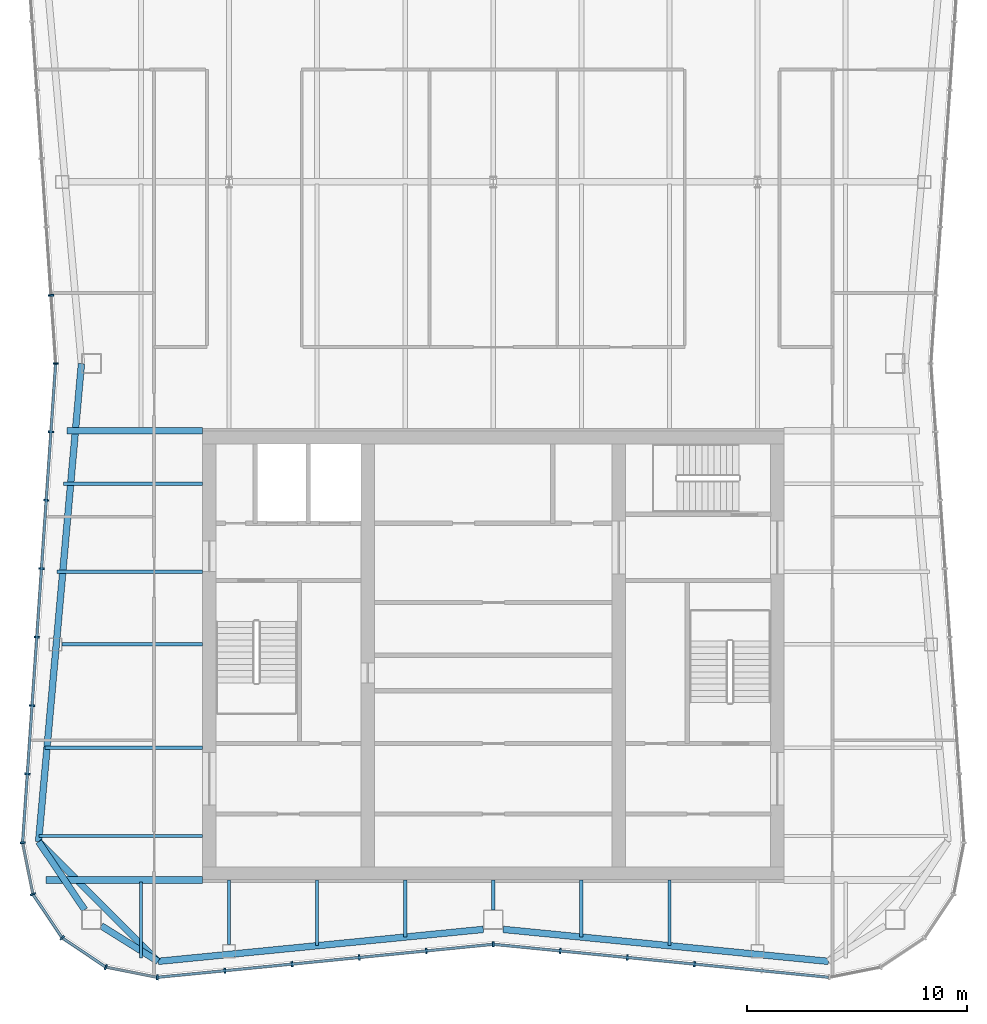
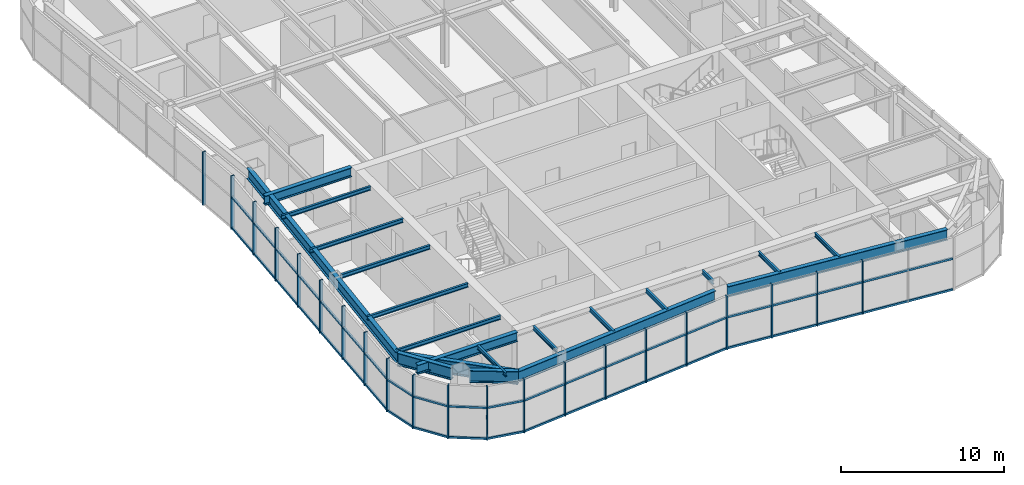
# One storey, part 3 of 13: 35 members, 20 beams, 3 elements without a shape of their own.
"""IFC4 building model written with IfcOpenShell, lengths in metres."""

import ifcopenshell
import ifcopenshell.guid

model = None  # the IFC model being written
_history = None  # IfcOwnerHistory: only IFC2X3 demands one
_inside = {}  # id of a spatial element -> (the spatial element, [elements in it])
_under = {}  # id of a project, library or spatial element -> (it, [spatial elements below it])
_declared = {}  # id of a project -> (the project, [libraries it declares])
_typed = {}  # id of a type object -> (the type object, [elements of that type])
_made_of = {}  # id of a material, layer set ... -> (it, [elements and type objects made of it])


def new_model(schema):
    """Start an empty IFC model of exactly this schema.

    Asked for "IFC4X3", IfcOpenShell would pick the latest addendum, in which some entities
    have other attributes; the version numbers below select the first issue.
    IFC2X3 requires an IfcOwnerHistory on every rooted entity: one is made here for all.
    """
    global model, _history
    if schema == "IFC4X3":
        model = ifcopenshell.file(schema_version=(4, 3, 0, 0))
    else:
        model = ifcopenshell.file(schema=schema)
    _inside.clear()
    _under.clear()
    _declared.clear()
    _typed.clear()
    _made_of.clear()
    _history = None
    if model.schema == "IFC2X3":
        org = make("IfcOrganization", Name="unknown")
        user = make(
            "IfcPersonAndOrganization",
            ThePerson=make("IfcPerson", FamilyName="unknown"),
            TheOrganization=org,
        )
        app = make(
            "IfcApplication",
            ApplicationDeveloper=org,
            Version="unknown",
            ApplicationFullName="unknown",
            ApplicationIdentifier="unknown",
        )
        _history = make(
            "IfcOwnerHistory",
            OwningUser=user,
            OwningApplication=app,
            ChangeAction="ADDED",
            CreationDate=0,
        )
    return model


def make(cls, **values):
    """One entity of the class cls with the attributes given. An attribute that is None is left unset."""
    return model.create_entity(
        cls, **{name: value for name, value in values.items() if value is not None}
    )


def rooted(cls, **values):
    """An entity with a GlobalId (a new one), such as an element, a storey or a relation."""
    return make(cls, GlobalId=ifcopenshell.guid.new(), OwnerHistory=_history, **values)


def si_unit(unit_type, name, prefix=None):
    """IfcSIUnit, for example si_unit("LENGTHUNIT", "METRE", prefix="MILLI")."""
    return make("IfcSIUnit", UnitType=unit_type, Prefix=prefix, Name=name)


def assignment(units):
    """IfcUnitAssignment: the units of a project."""
    return None if units is None else make("IfcUnitAssignment", Units=units)


def point(xyz):
    """IfcCartesianPoint."""
    return None if xyz is None else make("IfcCartesianPoint", Coordinates=xyz)


def direction(xyz):
    """IfcDirection."""
    return None if xyz is None else make("IfcDirection", DirectionRatios=xyz)


def frame(location, z_axis=None, x_axis=None):
    """IfcAxis2Placement3D, a coordinate frame: its origin and axes. An axis left out is left unset."""
    return make(
        "IfcAxis2Placement3D",
        Location=point(location),
        Axis=direction(z_axis),
        RefDirection=direction(x_axis),
    )


def frame_2d(location, x_axis=None):
    """IfcAxis2Placement2D, a coordinate frame in the plane: its origin and x axis."""
    return make(
        "IfcAxis2Placement2D", Location=point(location), RefDirection=direction(x_axis)
    )


def origin():
    """The frame at (0, 0, 0) with its axes left unset."""
    return frame((0.0, 0.0, 0.0))


def origin_2d():
    """The frame at (0, 0) in the plane with its x axis left unset."""
    return frame_2d((0.0, 0.0))


def place(relative_to, where):
    """IfcLocalPlacement: puts the frame where relative to a parent placement (None: the world)."""
    return make(
        "IfcLocalPlacement", PlacementRelTo=relative_to, RelativePlacement=where
    )


def context(
    kind, dimensions, precision=None, world=None, true_north=None, identifier=None
):
    """IfcGeometricRepresentationContext, for example the 3D "Model" context."""
    return make(
        "IfcGeometricRepresentationContext",
        ContextIdentifier=identifier,
        ContextType=kind,
        CoordinateSpaceDimension=dimensions,
        Precision=precision,
        WorldCoordinateSystem=world,
        TrueNorth=true_north,
    )


def subcontext(parent, identifier, kind, view, scale=None):
    """IfcGeometricRepresentationSubContext, for example "Body" below "Model"."""
    return make(
        "IfcGeometricRepresentationSubContext",
        ContextIdentifier=identifier,
        ContextType=kind,
        ParentContext=parent,
        TargetScale=scale,
        TargetView=view,
    )


def project(units=None, contexts=None):
    """IfcProject with its units and contexts."""
    return rooted(
        "IfcProject",
        Name="project",
        RepresentationContexts=contexts,
        UnitsInContext=assignment(units),
    )


def spatial(cls, under=None, at=None, **own):
    """A site, building, storey or space (cls), placed at a placement, below another one or the project."""
    s = rooted(cls, ObjectPlacement=at, **own)
    if under is not None:
        _under.setdefault(under.id(), (under, []))[1].append(s)
    return s


def profile(cls, at=None, kind="AREA", **sizes):
    """A parametric profile (cls). Its sizes go by their IFC names, for example OverallWidth=200.0."""
    return make(cls, ProfileType=kind, Position=at, **sizes)


def rectangle(**sizes):
    """IfcRectangleProfileDef."""
    return profile("IfcRectangleProfileDef", **sizes)


def i_section(**sizes):
    """IfcIShapeProfileDef."""
    return profile("IfcIShapeProfileDef", **sizes)


def extrude(swept, where, along, depth):
    """IfcExtrudedAreaSolid: the profile swept, set in the frame where, extruded along a direction by depth."""
    return make(
        "IfcExtrudedAreaSolid",
        SweptArea=swept,
        Position=where,
        ExtrudedDirection=direction(along),
        Depth=depth,
    )


def shape(context_of_items, identifier, shape_type, items):
    """IfcShapeRepresentation: the items that make up one representation, for example the "Body"."""
    return make(
        "IfcShapeRepresentation",
        ContextOfItems=context_of_items,
        RepresentationIdentifier=identifier,
        RepresentationType=shape_type,
        Items=items,
    )


def material(Name=None, Category=None):
    """IfcMaterial."""
    return make("IfcMaterial", Name=Name, Category=Category)


def material_profile(
    of_material, cross_section, Name=None, Category=None, Priority=None
):
    """IfcMaterialProfile: a cross section and its material."""
    return make(
        "IfcMaterialProfile",
        Name=Name,
        Material=of_material,
        Profile=cross_section,
        Priority=Priority,
        Category=Category,
    )


def profile_set(profiles, Name=None, composite=None):
    """IfcMaterialProfileSet."""
    return make(
        "IfcMaterialProfileSet",
        Name=Name,
        MaterialProfiles=profiles,
        CompositeProfile=composite,
    )


def made_of(thing, what):
    """Note that an element or type object is made of a material, layer set ...; save() writes the relation."""
    if what is not None:
        _made_of.setdefault(what.id(), (what, []))[1].append(thing)
    return thing


def type_object(cls, material=None, **own):
    """A type object (cls), such as IfcWallType, which elements share."""
    return made_of(rooted(cls, **own), material)


def element(
    cls,
    number,
    at=None,
    inside=None,
    cuts=None,
    type_object=None,
    material=None,
    context=None,
    identifier="Body",
    shape_type=None,
    held_by="IfcProductDefinitionShape",
    body=None,
    shapes=None,
    **own,
):
    """One element of the class cls, such as IfcWall. Its Tag is "e" and its number.

    at: its placement. inside: the storey or other place that contains it. cuts: it is an
    opening in that element (IfcRelVoidsElement). A single representation is given by context,
    identifier, shape_type and body (its items); several are given by shapes. held_by: the class
    of the entity that holds the representations. save() writes the other relations.
    """
    e = rooted(cls, Tag="e%d" % number, ObjectPlacement=at, **own)
    if body is not None:
        shapes = [shape(context, identifier, shape_type, body)]
    if shapes is not None:
        e.Representation = make(held_by, Representations=shapes)
    if inside is not None:
        _inside.setdefault(inside.id(), (inside, []))[1].append(e)
    if cuts is not None:
        rooted(
            "IfcRelVoidsElement", RelatingBuildingElement=cuts, RelatedOpeningElement=e
        )
    if type_object is not None:
        _typed.setdefault(type_object.id(), (type_object, []))[1].append(e)
    return made_of(e, material)


def aggregate(whole, parts):
    """IfcRelAggregates: a whole, such as a stair, and the parts it consists of."""
    return rooted("IfcRelAggregates", RelatingObject=whole, RelatedObjects=parts)


def save(model, path):
    """Write the relations noted so far, then the file.

    IfcRelAggregates (storeys below a building ...), IfcRelContainedInSpatialStructure (elements
    in a storey), IfcRelDefinesByType, IfcRelAssociatesMaterial and IfcRelDeclares: one each for
    every whole, place, type object, material and project.
    """
    for whole, parts in _under.values():
        aggregate(whole, parts)
    for where, things in _inside.values():
        rooted(
            "IfcRelContainedInSpatialStructure",
            RelatedElements=things,
            RelatingStructure=where,
        )
    for kind, things in _typed.values():
        rooted("IfcRelDefinesByType", RelatedObjects=things, RelatingType=kind)
    for what, things in _made_of.values():
        rooted("IfcRelAssociatesMaterial", RelatedObjects=things, RelatingMaterial=what)
    for by, libraries in _declared.values():
        rooted("IfcRelDeclares", RelatingContext=by, RelatedDefinitions=libraries)
    model.write(path)


model = new_model("IFC4")

# Units and contexts
model_context = context("Model", 3, precision=1e-05, world=origin(), true_north=direction((0.0, 1.0)))
body_context = subcontext(model_context, "Body", "Model", "MODEL_VIEW")
ifc_project = project(units=[si_unit("LENGTHUNIT", "METRE"), si_unit("AREAUNIT", "SQUARE_METRE"), si_unit("VOLUMEUNIT", "CUBIC_METRE"), si_unit("PLANEANGLEUNIT", "RADIAN"), si_unit("MASSUNIT", "GRAM", prefix="KILO")], contexts=[model_context])

# Site, building, storey
site_placement = place(None, origin())
site = spatial("IfcSite", under=ifc_project, at=site_placement, CompositionType="ELEMENT")
building_placement = place(site_placement, origin())
building = spatial("IfcBuilding", under=site, at=building_placement, Name="Verdant Reach Tower", CompositionType="ELEMENT")
storey_placement = place(building_placement, frame((0.0, 0.0, 364.0)))
storey = spatial("IfcBuildingStorey", under=building, at=storey_placement, Name="L82 Plant", CompositionType="ELEMENT", Elevation=364.0)

# Curtain wall, members
ifc_material_1 = material(Name="Anodised aluminium", Category="aluminium")
curtain_wall_type = type_object("IfcCurtainWallType", Name="EN-CW SYSTEM PLANT", PredefinedType="NOTDEFINED", material=ifc_material_1)
curtain_wall_1_placement = place(storey_placement, origin())
curtain_wall_1 = element("IfcCurtainWall", 1, at=curtain_wall_1_placement, inside=storey, type_object=curtain_wall_type, Name="Curtain wall west, L82", PredefinedType="NOTDEFINED")
ifc_material_profile_1 = material_profile(ifc_material_1, rectangle(XDim=0.238037109375, YDim=0.080078125, at=origin_2d()), Name="Mullion 80x240")
ifc_profile_set_1 = profile_set([ifc_material_profile_1], Name="Anodised aluminium")
member_type_1 = type_object("IfcMemberType", Name="EN-MULLION PLANT", PredefinedType="MULLION", material=ifc_profile_set_1)
member_1_placement = place(storey_placement, frame((-20.0830078125, 44.348876953125, -0.35009765625), z_axis=(0.0, 0.0, 1.0), x_axis=(-0.997630328423, -0.068802091615, 0.0)))
member_1 = element("IfcMember", 2, at=member_1_placement, type_object=member_type_1, Name="Mullion west face part 1 7, L82", PredefinedType="MULLION", context=body_context, shape_type="SweptSolid", body=[
    extrude(rectangle(XDim=0.238037109375, YDim=0.080078125, at=origin_2d()), origin(), (0.0, 0.0, 1.0), 4.0),
])
member_2_placement = place(storey_placement, frame((-19.868896484375, 41.25, -0.35009765625), z_axis=(0.0, 0.0, 1.0), x_axis=(-1.0, 0.0, 0.0)))
member_2 = element("IfcMember", 3, at=member_2_placement, type_object=member_type_1, Name="Mullion west face part 2 1, L82", PredefinedType="MULLION", context=body_context, shape_type="SweptSolid", body=[
    extrude(rectangle(XDim=0.238037109375, YDim=0.080078125, at=origin_2d()), origin(), (0.0, 0.0, 1.0), 4.0),
])
member_3_placement = place(storey_placement, frame((-20.0830078125, 38.151123046875, -0.35009765625), z_axis=(0.0, 0.0, 1.0), x_axis=(-0.997630328423, 0.068802091615, 0.0)))
member_3 = element("IfcMember", 4, at=member_3_placement, type_object=member_type_1, Name="Mullion west face part 2 2, L82", PredefinedType="MULLION", context=body_context, shape_type="SweptSolid", body=[
    extrude(rectangle(XDim=0.238037109375, YDim=0.080078125, at=origin_2d()), origin(), (0.0, 0.0, 1.0), 4.0),
])
member_4_placement = place(storey_placement, frame((-20.29736328125, 35.0439453125, -0.35009765625), z_axis=(0.0, 0.0, 1.0), x_axis=(-0.997630328423, 0.068802091615, 0.0)))
member_4 = element("IfcMember", 5, at=member_4_placement, type_object=member_type_1, Name="Mullion west face part 2 3, L82", PredefinedType="MULLION", context=body_context, shape_type="SweptSolid", body=[
    extrude(rectangle(XDim=0.238037109375, YDim=0.080078125, at=origin_2d()), origin(), (0.0, 0.0, 1.0), 4.0),
])
member_5_placement = place(storey_placement, frame((-20.511474609375, 31.936767578125, -0.35009765625), z_axis=(0.0, 0.0, 1.0), x_axis=(-0.997630328423, 0.068802091615, 0.0)))
member_5 = element("IfcMember", 6, at=member_5_placement, type_object=member_type_1, Name="Mullion west face part 2 4, L82", PredefinedType="MULLION", context=body_context, shape_type="SweptSolid", body=[
    extrude(rectangle(XDim=0.238037109375, YDim=0.080078125, at=origin_2d()), origin(), (0.0, 0.0, 1.0), 4.0),
])
member_6_placement = place(storey_placement, frame((-20.725830078125, 28.82958984375, -0.35009765625), z_axis=(0.0, 0.0, 1.0), x_axis=(-0.997630328423, 0.068802091615, 0.0)))
member_6 = element("IfcMember", 7, at=member_6_placement, type_object=member_type_1, Name="Mullion west face part 2 5, L82", PredefinedType="MULLION", context=body_context, shape_type="SweptSolid", body=[
    extrude(rectangle(XDim=0.238037109375, YDim=0.080078125, at=origin_2d()), origin(), (0.0, 0.0, 1.0), 4.0),
])
member_7_placement = place(storey_placement, frame((-20.940185546875, 25.722412109375, -0.35009765625), z_axis=(0.0, 0.0, 1.0), x_axis=(-0.997630328423, 0.068802091615, 0.0)))
member_7 = element("IfcMember", 8, at=member_7_placement, type_object=member_type_1, Name="Mullion west face part 2 6, L82", PredefinedType="MULLION", context=body_context, shape_type="SweptSolid", body=[
    extrude(rectangle(XDim=0.238037109375, YDim=0.080078125, at=origin_2d()), origin(), (0.0, 0.0, 1.0), 4.0),
])
member_8_placement = place(storey_placement, frame((-21.154541015625, 22.615234375, -0.35009765625), z_axis=(0.0, 0.0, 1.0), x_axis=(-0.997630328423, 0.068802091615, 0.0)))
member_8 = element("IfcMember", 9, at=member_8_placement, type_object=member_type_1, Name="Mullion west face part 2 7, L82", PredefinedType="MULLION", context=body_context, shape_type="SweptSolid", body=[
    extrude(rectangle(XDim=0.238037109375, YDim=0.080078125, at=origin_2d()), origin(), (0.0, 0.0, 1.0), 4.0),
])

curtain_wall_2_placement = place(storey_placement, origin())
curtain_wall_2 = element("IfcCurtainWall", 10, at=curtain_wall_2_placement, inside=storey, type_object=curtain_wall_type, Name="Curtain wall south-west corner, L82", PredefinedType="NOTDEFINED")
member_9_placement = place(storey_placement, frame((-21.36865234375, 19.492431640625, -0.35009765625), z_axis=(0.0, 0.0, 1.0), x_axis=(-0.997969180898, -0.063698618332, 0.0)))
member_9 = element("IfcMember", 11, at=member_9_placement, type_object=member_type_1, Name="Mullion south-west corner 1, L82", PredefinedType="MULLION", context=body_context, shape_type="SweptSolid", body=[
    extrude(rectangle(XDim=0.238037109375, YDim=0.080078125, at=origin_2d()), origin(), (0.0, 0.0, 1.0), 4.0),
])
member_10_placement = place(storey_placement, frame((-20.9033203125, 17.158447265625, -0.35009765625), z_axis=(0.0, 0.0, 1.0), x_axis=(-0.923875215753, -0.382693853776, 0.0)))
member_10 = element("IfcMember", 12, at=member_10_placement, type_object=member_type_1, Name="Mullion south-west corner 2, L82", PredefinedType="MULLION", context=body_context, shape_type="SweptSolid", body=[
    extrude(rectangle(XDim=0.238037109375, YDim=0.080078125, at=origin_2d()), origin(), (0.0, 0.0, 1.0), 4.0),
])
member_11_placement = place(storey_placement, frame((-19.57666015625, 15.17333984375, -0.35009765625), z_axis=(0.0, 0.0, 1.0), x_axis=(-0.707106781187, -0.707106781187, 0.0)))
member_11 = element("IfcMember", 13, at=member_11_placement, type_object=member_type_1, Name="Mullion south-west corner 3, L82", PredefinedType="MULLION", context=body_context, shape_type="SweptSolid", body=[
    extrude(rectangle(XDim=0.238037109375, YDim=0.080078125, at=origin_2d()), origin(), (0.0, 0.0, 1.0), 4.0),
])
member_12_placement = place(storey_placement, frame((-17.591552734375, 13.8466796875, -0.35009765625), z_axis=(0.0, 0.0, 1.0), x_axis=(-0.382693853776, -0.923875215753, 0.0)))
member_12 = element("IfcMember", 14, at=member_12_placement, type_object=member_type_1, Name="Mullion south-west corner 4, L82", PredefinedType="MULLION", context=body_context, shape_type="SweptSolid", body=[
    extrude(rectangle(XDim=0.238037109375, YDim=0.080078125, at=origin_2d()), origin(), (0.0, 0.0, 1.0), 4.0),
])

curtain_wall_3_placement = place(storey_placement, origin())
curtain_wall_3 = element("IfcCurtainWall", 15, at=curtain_wall_3_placement, inside=storey, type_object=curtain_wall_type, Name="Curtain wall south, L82", PredefinedType="NOTDEFINED")
member_13_placement = place(storey_placement, frame((-15.255859375, 13.381103515625, -0.35009765625), z_axis=(0.0, 0.0, 1.0), x_axis=(-0.049127596288, -0.998792510626, 0.0)))
member_13 = element("IfcMember", 16, at=member_13_placement, type_object=member_type_1, Name="Mullion south face part 1 1, L82", PredefinedType="MULLION", context=body_context, shape_type="SweptSolid", body=[
    extrude(rectangle(XDim=0.238037109375, YDim=0.080078125, at=origin_2d()), origin(), (0.0, 0.0, 1.0), 4.0),
])
member_14_placement = place(storey_placement, frame((-12.188232421875, 13.681640625, -0.35009765625), z_axis=(0.0, 0.0, 1.0), x_axis=(0.09788826992, -0.995197410875, 0.0)))
member_14 = element("IfcMember", 17, at=member_14_placement, type_object=member_type_1, Name="Mullion south face part 1 2, L82", PredefinedType="MULLION", context=body_context, shape_type="SweptSolid", body=[
    extrude(rectangle(XDim=0.238037109375, YDim=0.080078125, at=origin_2d()), origin(), (0.0, 0.0, 1.0), 4.0),
])
member_15_placement = place(storey_placement, frame((-9.138427734375, 13.981689453125, -0.35009765625), z_axis=(0.0, 0.0, 1.0), x_axis=(0.09788826992, -0.995197410875, 0.0)))
member_15 = element("IfcMember", 18, at=member_15_placement, type_object=member_type_1, Name="Mullion south face part 1 3, L82", PredefinedType="MULLION", context=body_context, shape_type="SweptSolid", body=[
    extrude(rectangle(XDim=0.238037109375, YDim=0.080078125, at=origin_2d()), origin(), (0.0, 0.0, 1.0), 4.0),
])
member_16_placement = place(storey_placement, frame((-6.08837890625, 14.281494140625, -0.35009765625), z_axis=(0.0, 0.0, 1.0), x_axis=(0.09788826992, -0.995197410875, 0.0)))
member_16 = element("IfcMember", 19, at=member_16_placement, type_object=member_type_1, Name="Mullion south face part 1 4, L82", PredefinedType="MULLION", context=body_context, shape_type="SweptSolid", body=[
    extrude(rectangle(XDim=0.238037109375, YDim=0.080078125, at=origin_2d()), origin(), (0.0, 0.0, 1.0), 4.0),
])
member_17_placement = place(storey_placement, frame((-3.038330078125, 14.58154296875, -0.35009765625), z_axis=(0.0, 0.0, 1.0), x_axis=(0.09788826992, -0.995197410875, 0.0)))
member_17 = element("IfcMember", 20, at=member_17_placement, type_object=member_type_1, Name="Mullion south face part 1 5, L82", PredefinedType="MULLION", context=body_context, shape_type="SweptSolid", body=[
    extrude(rectangle(XDim=0.238037109375, YDim=0.080078125, at=origin_2d()), origin(), (0.0, 0.0, 1.0), 4.0),
])
member_18_placement = place(storey_placement, frame((0.0, 14.881103515625, -0.35009765625), z_axis=(0.0, 0.0, 1.0), x_axis=(0.0, -1.0, 0.0)))
member_18 = element("IfcMember", 21, at=member_18_placement, type_object=member_type_1, Name="Mullion south face part 2 1, L82", PredefinedType="MULLION", context=body_context, shape_type="SweptSolid", body=[
    extrude(rectangle(XDim=0.238037109375, YDim=0.080078125, at=origin_2d()), origin(), (0.0, 0.0, 1.0), 4.0),
])
member_19_placement = place(storey_placement, frame((3.038330078125, 14.58154296875, -0.35009765625), z_axis=(0.0, 0.0, 1.0), x_axis=(-0.09788826992, -0.995197410875, 0.0)))
member_19 = element("IfcMember", 22, at=member_19_placement, type_object=member_type_1, Name="Mullion south face part 2 2, L82", PredefinedType="MULLION", context=body_context, shape_type="SweptSolid", body=[
    extrude(rectangle(XDim=0.238037109375, YDim=0.080078125, at=origin_2d()), origin(), (0.0, 0.0, 1.0), 4.0),
])
member_20_placement = place(storey_placement, frame((6.08837890625, 14.281494140625, -0.35009765625), z_axis=(0.0, 0.0, 1.0), x_axis=(-0.09788826992, -0.995197410875, 0.0)))
member_20 = element("IfcMember", 23, at=member_20_placement, type_object=member_type_1, Name="Mullion south face part 2 3, L82", PredefinedType="MULLION", context=body_context, shape_type="SweptSolid", body=[
    extrude(rectangle(XDim=0.238037109375, YDim=0.080078125, at=origin_2d()), origin(), (0.0, 0.0, 1.0), 4.0),
])
member_21_placement = place(storey_placement, frame((9.138427734375, 13.981689453125, -0.35009765625), z_axis=(0.0, 0.0, 1.0), x_axis=(-0.09788826992, -0.995197410875, 0.0)))
member_21 = element("IfcMember", 24, at=member_21_placement, type_object=member_type_1, Name="Mullion south face part 2 4, L82", PredefinedType="MULLION", context=body_context, shape_type="SweptSolid", body=[
    extrude(rectangle(XDim=0.238037109375, YDim=0.080078125, at=origin_2d()), origin(), (0.0, 0.0, 1.0), 4.0),
])

# Member
ifc_material_profile_2 = material_profile(ifc_material_1, rectangle(XDim=0.1201171875, YDim=0.14990234375, at=origin_2d()), Name="Transom 150x120")
ifc_profile_set_2 = profile_set([ifc_material_profile_2], Name="Anodised aluminium")
member_type_2 = type_object("IfcMemberType", Name="EN-TRANSOM PLANT", PredefinedType="USERDEFINED", material=ifc_profile_set_2)
member_22_placement = place(storey_placement, frame((-19.871826171875, 41.210205078125, -0.27490234375), z_axis=(-0.068761218296, -0.997633146431, 0.0), x_axis=(0.997633146431, -0.068761218296, 0.0)))
member_22 = element("IfcMember", 25, at=member_22_placement, type_object=member_type_2, Name="Transom west face part 2 1.1, L82", ObjectType="TRANSOM", PredefinedType="USERDEFINED", context=body_context, shape_type="SweptSolid", body=[
    extrude(rectangle(XDim=0.1201171875, YDim=0.14990234375, at=origin_2d()), origin(), (0.0, 0.0, 1.0), 21.7294921875),
])

member_23_placement = place(storey_placement, frame((-19.871826171875, 41.210205078125, 2.050048828125), z_axis=(-0.068761218296, -0.997633146431, 0.0), x_axis=(0.997633146431, -0.068761218296, 0.0)))
member_23 = element("IfcMember", 26, at=member_23_placement, type_object=member_type_2, Name="Transom west face part 2 1.2, L82", ObjectType="TRANSOM", PredefinedType="USERDEFINED", context=body_context, shape_type="SweptSolid", body=[
    extrude(rectangle(XDim=0.1201171875, YDim=0.14990234375, at=origin_2d()), origin(), (0.0, 0.0, 1.0), 21.7294921875),
])

aggregate(curtain_wall_1, [member_1, member_2, member_3, member_4, member_5, member_6, member_7, member_8, member_22, member_23])

member_24_placement = place(storey_placement, frame((-21.36083984375, 19.453125, -0.27490234375), z_axis=(0.195524121666, -0.980698892549, 0.0), x_axis=(0.980698892549, 0.195524121666, 0.0)))
member_24 = element("IfcMember", 27, at=member_24_placement, type_object=member_type_2, Name="Transom south-west corner 1.1, L82", ObjectType="TRANSOM", PredefinedType="USERDEFINED", context=body_context, shape_type="SweptSolid", body=[
    extrude(rectangle(XDim=0.1201171875, YDim=0.14990234375, at=origin_2d()), origin(), (0.0, 0.0, 1.0), 2.300048828125),
])

member_25_placement = place(storey_placement, frame((-20.881103515625, 17.125, -0.27490234375), z_axis=(0.5556764556, -0.831398626828, 0.0), x_axis=(0.831398626828, 0.5556764556, 0.0)))
member_25 = element("IfcMember", 28, at=member_25_placement, type_object=member_type_2, Name="Transom south-west corner 2.1, L82", ObjectType="TRANSOM", PredefinedType="USERDEFINED", context=body_context, shape_type="SweptSolid", body=[
    extrude(rectangle(XDim=0.1201171875, YDim=0.14990234375, at=origin_2d()), origin(), (0.0, 0.0, 1.0), 2.3076171875),
])

member_26_placement = place(storey_placement, frame((-19.54345703125, 15.151123046875, -0.27490234375), z_axis=(0.831398626828, -0.5556764556, 0.0), x_axis=(0.5556764556, 0.831398626828, 0.0)))
member_26 = element("IfcMember", 29, at=member_26_placement, type_object=member_type_2, Name="Transom south-west corner 3.1, L82", ObjectType="TRANSOM", PredefinedType="USERDEFINED", context=body_context, shape_type="SweptSolid", body=[
    extrude(rectangle(XDim=0.1201171875, YDim=0.14990234375, at=origin_2d()), origin(), (0.0, 0.0, 1.0), 2.3076171875),
])

member_27_placement = place(storey_placement, frame((-17.552490234375, 13.8388671875, -0.27490234375), z_axis=(0.980706937788, -0.195483764476, 0.0), x_axis=(0.195483764476, 0.980706937788, 0.0)))
member_27 = element("IfcMember", 30, at=member_27_placement, type_object=member_type_2, Name="Transom south-west corner 4.1, L82", ObjectType="TRANSOM", PredefinedType="USERDEFINED", context=body_context, shape_type="SweptSolid", body=[
    extrude(rectangle(XDim=0.1201171875, YDim=0.14990234375, at=origin_2d()), origin(), (0.0, 0.0, 1.0), 2.3017578125),
])

member_28_placement = place(storey_placement, frame((-21.36083984375, 19.453125, 2.050048828125), z_axis=(0.195524121666, -0.980698892549, 0.0), x_axis=(0.980698892549, 0.195524121666, 0.0)))
member_28 = element("IfcMember", 31, at=member_28_placement, type_object=member_type_2, Name="Transom south-west corner 1.2, L82", ObjectType="TRANSOM", PredefinedType="USERDEFINED", context=body_context, shape_type="SweptSolid", body=[
    extrude(rectangle(XDim=0.1201171875, YDim=0.14990234375, at=origin_2d()), origin(), (0.0, 0.0, 1.0), 2.300048828125),
])

member_29_placement = place(storey_placement, frame((-20.881103515625, 17.125, 2.050048828125), z_axis=(0.5556764556, -0.831398626828, 0.0), x_axis=(0.831398626828, 0.5556764556, 0.0)))
member_29 = element("IfcMember", 32, at=member_29_placement, type_object=member_type_2, Name="Transom south-west corner 2.2, L82", ObjectType="TRANSOM", PredefinedType="USERDEFINED", context=body_context, shape_type="SweptSolid", body=[
    extrude(rectangle(XDim=0.1201171875, YDim=0.14990234375, at=origin_2d()), origin(), (0.0, 0.0, 1.0), 2.3076171875),
])

member_30_placement = place(storey_placement, frame((-19.54345703125, 15.151123046875, 2.050048828125), z_axis=(0.831398626828, -0.5556764556, 0.0), x_axis=(0.5556764556, 0.831398626828, 0.0)))
member_30 = element("IfcMember", 33, at=member_30_placement, type_object=member_type_2, Name="Transom south-west corner 3.2, L82", ObjectType="TRANSOM", PredefinedType="USERDEFINED", context=body_context, shape_type="SweptSolid", body=[
    extrude(rectangle(XDim=0.1201171875, YDim=0.14990234375, at=origin_2d()), origin(), (0.0, 0.0, 1.0), 2.3076171875),
])

member_31_placement = place(storey_placement, frame((-17.552490234375, 13.8388671875, 2.050048828125), z_axis=(0.980706937788, -0.195483764476, 0.0), x_axis=(0.195483764476, 0.980706937788, 0.0)))
member_31 = element("IfcMember", 34, at=member_31_placement, type_object=member_type_2, Name="Transom south-west corner 4.2, L82", ObjectType="TRANSOM", PredefinedType="USERDEFINED", context=body_context, shape_type="SweptSolid", body=[
    extrude(rectangle(XDim=0.1201171875, YDim=0.14990234375, at=origin_2d()), origin(), (0.0, 0.0, 1.0), 2.3017578125),
])

aggregate(curtain_wall_2, [member_9, member_10, member_11, member_12, member_24, member_25, member_26, member_27, member_28, member_29, member_30, member_31])

member_32_placement = place(storey_placement, frame((-15.216064453125, 13.385009765625, -0.27490234375), z_axis=(0.995200989722, 0.097851878144, 0.0), x_axis=(-0.097851878144, 0.995200989722, 0.0)))
member_32 = element("IfcMember", 35, at=member_32_placement, type_object=member_type_2, Name="Transom south face part 1 1.1, L82", ObjectType="TRANSOM", PredefinedType="USERDEFINED", context=body_context, shape_type="SweptSolid", body=[
    extrude(rectangle(XDim=0.1201171875, YDim=0.14990234375, at=origin_2d()), origin(), (0.0, 0.0, 1.0), 15.24951171875),
])

member_33_placement = place(storey_placement, frame((-15.216064453125, 13.385009765625, 2.050048828125), z_axis=(0.995200989722, 0.097851878144, 0.0), x_axis=(-0.097851878144, 0.995200989722, 0.0)))
member_33 = element("IfcMember", 36, at=member_33_placement, type_object=member_type_2, Name="Transom south face part 1 1.2, L82", ObjectType="TRANSOM", PredefinedType="USERDEFINED", context=body_context, shape_type="SweptSolid", body=[
    extrude(rectangle(XDim=0.1201171875, YDim=0.14990234375, at=origin_2d()), origin(), (0.0, 0.0, 1.0), 15.24951171875),
])

member_34_placement = place(storey_placement, frame((0.039794921875, 14.877197265625, -0.27490234375), z_axis=(0.995200989722, -0.097851878144, 0.0), x_axis=(0.097851878144, 0.995200989722, 0.0)))
member_34 = element("IfcMember", 37, at=member_34_placement, type_object=member_type_2, Name="Transom south face part 2 1.1, L82", ObjectType="TRANSOM", PredefinedType="USERDEFINED", context=body_context, shape_type="SweptSolid", body=[
    extrude(rectangle(XDim=0.1201171875, YDim=0.14990234375, at=origin_2d()), origin(), (0.0, 0.0, 1.0), 15.24951171875),
])

member_35_placement = place(storey_placement, frame((0.039794921875, 14.877197265625, 2.050048828125), z_axis=(0.995200989722, -0.097851878144, 0.0), x_axis=(0.097851878144, 0.995200989722, 0.0)))
member_35 = element("IfcMember", 38, at=member_35_placement, type_object=member_type_2, Name="Transom south face part 2 1.2, L82", ObjectType="TRANSOM", PredefinedType="USERDEFINED", context=body_context, shape_type="SweptSolid", body=[
    extrude(rectangle(XDim=0.1201171875, YDim=0.14990234375, at=origin_2d()), origin(), (0.0, 0.0, 1.0), 15.24951171875),
])

aggregate(curtain_wall_3, [member_13, member_14, member_15, member_16, member_17, member_32, member_33, member_18, member_19, member_20, member_21, member_34, member_35])

# Beams
ifc_material_2 = material(Name="Steel S355", Category="steel")
ifc_material_profile_3 = material_profile(ifc_material_2, i_section(OverallWidth=0.300048828125, OverallDepth=0.699951171875, WebThickness=0.01708984375, FlangeThickness=0.031982421875, FilletRadius=0.027099609375, at=origin_2d()), Name="HEB 700")
ifc_profile_set_3 = profile_set([ifc_material_profile_3], Name="Steel S355")
beam_type_1 = type_object("IfcBeamType", Name="ST-BEAM-HEB700", PredefinedType="BEAM", material=ifc_profile_set_3)
beam_1_placement = place(storey_placement, frame((-13.199951171875, 38.199951171875, 3.5), z_axis=(-1.0, 0.0, 0.0), x_axis=(0.0, -1.0, 0.0)))
element("IfcBeam", 39, at=beam_1_placement, inside=storey, type_object=beam_type_1, Name="Trimmer beam, L82 Plant", PredefinedType="BEAM", context=body_context, shape_type="SweptSolid", body=[
    extrude(i_section(OverallWidth=0.300048828125, OverallDepth=0.699951171875, WebThickness=0.01708984375, FlangeThickness=0.031982421875, FilletRadius=0.027099609375, at=origin_2d()), origin(), (0.0, 0.0, 1.0), 6.158935546875),
])
beam_2_placement = place(storey_placement, frame((-13.199951171875, 17.800048828125, 3.5), z_axis=(-1.0, 0.0, 0.0), x_axis=(0.0, -1.0, 0.0)))
element("IfcBeam", 40, at=beam_2_placement, inside=storey, type_object=beam_type_1, Name="Trimmer beam, L82 Plant", PredefinedType="BEAM", context=body_context, shape_type="SweptSolid", body=[
    extrude(i_section(OverallWidth=0.300048828125, OverallDepth=0.699951171875, WebThickness=0.01708984375, FlangeThickness=0.031982421875, FilletRadius=0.027099609375, at=origin_2d()), origin(), (0.0, 0.0, 1.0), 7.10009765625),
])
ifc_material_profile_4 = material_profile(ifc_material_2, i_section(OverallWidth=0.302001953125, OverallDepth=0.909912109375, WebThickness=0.02099609375, FlangeThickness=0.0400390625, FilletRadius=0.030029296875, at=origin_2d()), Name="HEM 900")
ifc_profile_set_4 = profile_set([ifc_material_profile_4], Name="Steel S355")
beam_type_2 = type_object("IfcBeamType", Name="ST-BEAM-HEM900", PredefinedType="BEAM", material=ifc_profile_set_4)
beam_3_placement = place(storey_placement, frame((-17.800048828125, 15.71875, 3.39501953125), z_axis=(0.847903624467, -0.530150397166, 0.0), x_axis=(0.530150397166, 0.847903624467, 0.0)))
element("IfcBeam", 41, at=beam_3_placement, inside=storey, type_object=beam_type_2, Name="Column stub beam, L82 Plant", PredefinedType="BEAM", context=body_context, shape_type="SweptSolid", body=[
    extrude(i_section(OverallWidth=0.302001953125, OverallDepth=0.909912109375, WebThickness=0.02099609375, FlangeThickness=0.0400390625, FilletRadius=0.030029296875, at=origin_2d()), origin(), (0.0, 0.0, 1.0), 3.042724609375),
])
beam_4_placement = place(storey_placement, frame((-18.5546875, 16.449951171875, 3.39501953125), z_axis=(-0.560667226688, 0.828041219335, 0.0), x_axis=(-0.828041219335, -0.560667226688, 0.0)))
element("IfcBeam", 42, at=beam_4_placement, inside=storey, type_object=beam_type_2, Name="Column stub beam, L82 Plant", PredefinedType="BEAM", context=body_context, shape_type="SweptSolid", body=[
    extrude(i_section(OverallWidth=0.302001953125, OverallDepth=0.909912109375, WebThickness=0.02099609375, FlangeThickness=0.0400390625, FilletRadius=0.030029296875, at=origin_2d()), origin(), (0.0, 0.0, 1.0), 3.72998046875),
])
ifc_material_profile_5 = material_profile(ifc_material_2, i_section(OverallWidth=0.14990234375, OverallDepth=0.300048828125, WebThickness=0.007080078125, FlangeThickness=0.0107421875, FilletRadius=0.014892578125, at=origin_2d()), Name="IPE 300")
ifc_profile_set_5 = profile_set([ifc_material_profile_5], Name="Steel S355")
beam_type_3 = type_object("IfcBeamType", Name="ST-JOIST-IPE300", PredefinedType="JOIST", material=ifc_profile_set_5)
beam_5_placement = place(storey_placement, frame((-16.0, 17.699951171875, 3.699951171875), z_axis=(0.0, -1.0, 0.0), x_axis=(1.0, 0.0, 0.0)))
element("IfcBeam", 43, at=beam_5_placement, inside=storey, type_object=beam_type_3, Name="Floor joist, L82 Plant", PredefinedType="JOIST", context=body_context, shape_type="SweptSolid", body=[
    extrude(i_section(OverallWidth=0.14990234375, OverallDepth=0.300048828125, WebThickness=0.007080078125, FlangeThickness=0.0107421875, FilletRadius=0.014892578125, at=origin_2d()), origin(), (0.0, 0.0, 1.0), 3.43896484375),
])
beam_6_placement = place(storey_placement, frame((-12.0, 17.800048828125, 3.699951171875), z_axis=(0.0, -1.0, 0.0), x_axis=(1.0, 0.0, 0.0)))
element("IfcBeam", 44, at=beam_6_placement, inside=storey, type_object=beam_type_3, Name="Floor joist, L82 Plant", PredefinedType="JOIST", context=body_context, shape_type="SweptSolid", body=[
    extrude(i_section(OverallWidth=0.14990234375, OverallDepth=0.300048828125, WebThickness=0.007080078125, FlangeThickness=0.0107421875, FilletRadius=0.014892578125, at=origin_2d()), origin(), (0.0, 0.0, 1.0), 2.930419921875),
])
beam_7_placement = place(storey_placement, frame((-8.0, 17.800048828125, 3.699951171875), z_axis=(0.0, -1.0, 0.0), x_axis=(1.0, 0.0, 0.0)))
element("IfcBeam", 45, at=beam_7_placement, inside=storey, type_object=beam_type_3, Name="Floor joist, L82 Plant", PredefinedType="JOIST", context=body_context, shape_type="SweptSolid", body=[
    extrude(i_section(OverallWidth=0.14990234375, OverallDepth=0.300048828125, WebThickness=0.007080078125, FlangeThickness=0.0107421875, FilletRadius=0.014892578125, at=origin_2d()), origin(), (0.0, 0.0, 1.0), 2.984130859375),
])
beam_8_placement = place(storey_placement, frame((-4.0, 17.800048828125, 3.699951171875), z_axis=(0.0, -1.0, 0.0), x_axis=(1.0, 0.0, 0.0)))
element("IfcBeam", 46, at=beam_8_placement, inside=storey, type_object=beam_type_3, Name="Floor joist, L82 Plant", PredefinedType="JOIST", context=body_context, shape_type="SweptSolid", body=[
    extrude(i_section(OverallWidth=0.14990234375, OverallDepth=0.300048828125, WebThickness=0.007080078125, FlangeThickness=0.0107421875, FilletRadius=0.014892578125, at=origin_2d()), origin(), (0.0, 0.0, 1.0), 2.590576171875),
])
beam_9_placement = place(storey_placement, frame((0.0, 17.800048828125, 3.699951171875), z_axis=(0.0, -1.0, 0.0), x_axis=(1.0, 0.0, 0.0)))
element("IfcBeam", 47, at=beam_9_placement, inside=storey, type_object=beam_type_3, Name="Floor joist, L82 Plant", PredefinedType="JOIST", context=body_context, shape_type="SweptSolid", body=[
    extrude(i_section(OverallWidth=0.14990234375, OverallDepth=0.300048828125, WebThickness=0.007080078125, FlangeThickness=0.0107421875, FilletRadius=0.014892578125, at=origin_2d()), origin(), (0.0, 0.0, 1.0), 1.35009765625),
])
beam_10_placement = place(storey_placement, frame((4.0, 17.800048828125, 3.699951171875), z_axis=(0.0, -1.0, 0.0), x_axis=(1.0, 0.0, 0.0)))
element("IfcBeam", 48, at=beam_10_placement, inside=storey, type_object=beam_type_3, Name="Floor joist, L82 Plant", PredefinedType="JOIST", context=body_context, shape_type="SweptSolid", body=[
    extrude(i_section(OverallWidth=0.14990234375, OverallDepth=0.300048828125, WebThickness=0.007080078125, FlangeThickness=0.0107421875, FilletRadius=0.014892578125, at=origin_2d()), origin(), (0.0, 0.0, 1.0), 2.590576171875),
])
beam_11_placement = place(storey_placement, frame((8.0, 17.800048828125, 3.699951171875), z_axis=(0.0, -1.0, 0.0), x_axis=(1.0, 0.0, 0.0)))
element("IfcBeam", 49, at=beam_11_placement, inside=storey, type_object=beam_type_3, Name="Floor joist, L82 Plant", PredefinedType="JOIST", context=body_context, shape_type="SweptSolid", body=[
    extrude(i_section(OverallWidth=0.14990234375, OverallDepth=0.300048828125, WebThickness=0.007080078125, FlangeThickness=0.0107421875, FilletRadius=0.014892578125, at=origin_2d()), origin(), (0.0, 0.0, 1.0), 2.984130859375),
])
beam_12_placement = place(storey_placement, frame((-13.199951171875, 19.800048828125, 3.699951171875), z_axis=(-1.0, 0.0, 0.0), x_axis=(0.0, -1.0, 0.0)))
element("IfcBeam", 50, at=beam_12_placement, inside=storey, type_object=beam_type_3, Name="Floor joist, L82 Plant", PredefinedType="JOIST", context=body_context, shape_type="SweptSolid", body=[
    extrude(i_section(OverallWidth=0.14990234375, OverallDepth=0.300048828125, WebThickness=0.007080078125, FlangeThickness=0.0107421875, FilletRadius=0.014892578125, at=origin_2d()), origin(), (0.0, 0.0, 1.0), 7.427978515625),
])
beam_13_placement = place(storey_placement, frame((-13.199951171875, 23.800048828125, 3.699951171875), z_axis=(-1.0, 0.0, 0.0), x_axis=(0.0, -1.0, 0.0)))
element("IfcBeam", 51, at=beam_13_placement, inside=storey, type_object=beam_type_3, Name="Floor joist, L82 Plant", PredefinedType="JOIST", context=body_context, shape_type="SweptSolid", body=[
    extrude(i_section(OverallWidth=0.14990234375, OverallDepth=0.300048828125, WebThickness=0.007080078125, FlangeThickness=0.0107421875, FilletRadius=0.014892578125, at=origin_2d()), origin(), (0.0, 0.0, 1.0), 7.152099609375),
])
beam_14_placement = place(storey_placement, frame((-13.199951171875, 28.5, 3.699951171875), z_axis=(-1.0, 0.0, 0.0), x_axis=(0.0, -1.0, 0.0)))
element("IfcBeam", 52, at=beam_14_placement, inside=storey, type_object=beam_type_3, Name="Floor joist, L82 Plant", PredefinedType="JOIST", context=body_context, shape_type="SweptSolid", body=[
    extrude(i_section(OverallWidth=0.14990234375, OverallDepth=0.300048828125, WebThickness=0.007080078125, FlangeThickness=0.0107421875, FilletRadius=0.014892578125, at=origin_2d()), origin(), (0.0, 0.0, 1.0), 6.37939453125),
])
beam_15_placement = place(storey_placement, frame((-13.199951171875, 31.800048828125, 3.699951171875), z_axis=(-1.0, 0.0, 0.0), x_axis=(0.0, -1.0, 0.0)))
element("IfcBeam", 53, at=beam_15_placement, inside=storey, type_object=beam_type_3, Name="Floor joist, L82 Plant", PredefinedType="JOIST", context=body_context, shape_type="SweptSolid", body=[
    extrude(i_section(OverallWidth=0.14990234375, OverallDepth=0.300048828125, WebThickness=0.007080078125, FlangeThickness=0.0107421875, FilletRadius=0.014892578125, at=origin_2d()), origin(), (0.0, 0.0, 1.0), 6.600341796875),
])
beam_16_placement = place(storey_placement, frame((-13.199951171875, 35.800048828125, 3.699951171875), z_axis=(-1.0, 0.0, 0.0), x_axis=(0.0, -1.0, 0.0)))
element("IfcBeam", 54, at=beam_16_placement, inside=storey, type_object=beam_type_3, Name="Floor joist, L82 Plant", PredefinedType="JOIST", context=body_context, shape_type="SweptSolid", body=[
    extrude(i_section(OverallWidth=0.14990234375, OverallDepth=0.300048828125, WebThickness=0.007080078125, FlangeThickness=0.0107421875, FilletRadius=0.014892578125, at=origin_2d()), origin(), (0.0, 0.0, 1.0), 6.324462890625),
])
ifc_material_profile_6 = material_profile(ifc_material_2, i_section(OverallWidth=0.300048828125, OverallDepth=0.800048828125, WebThickness=0.017578125, FlangeThickness=0.032958984375, FilletRadius=0.030029296875, at=origin_2d()), Name="HEB 800")
ifc_profile_set_6 = profile_set([ifc_material_profile_6], Name="Steel S355")
beam_type_4 = type_object("IfcBeamType", Name="ST-SPANDREL-HEB800", PredefinedType="SPANDREL", material=ifc_profile_set_6)
for number, where, z_axis, x_axis, name in (
    (55, (15.22021484375, 14.105712890625, 3.449951171875), (-0.995196964263, 0.097892810366, 0.0), (-0.097892810366, -0.995196964263, 0.0), "Edge beam, L82 Plant"),
    (56, (-0.449951171875, 15.55859375, 3.449951171875), (-0.995196964263, -0.097892810366, 0.0), (0.097892810366, -0.995196964263, 0.0), "Edge beam, L82 Plant"),
):
    element("IfcBeam", number, at=place(storey_placement, frame(where, z_axis=z_axis, x_axis=x_axis)), inside=storey, type_object=beam_type_4, Name=name, PredefinedType="SPANDREL", context=body_context, shape_type="SweptSolid", body=[
        extrude(i_section(OverallWidth=0.300048828125, OverallDepth=0.800048828125, WebThickness=0.017578125, FlangeThickness=0.032958984375, FilletRadius=0.030029296875, at=origin_2d()), origin(), (0.0, 0.0, 1.0), 14.841552734375),
    ])
beam_17_placement = place(storey_placement, frame((-20.64599609375, 19.53857421875, 3.449951171875), z_axis=(0.089274399498, 0.996007069048, 0.0), x_axis=(-0.996007069048, 0.089274399498, 0.0)))
element("IfcBeam", 57, at=beam_17_placement, inside=storey, type_object=beam_type_4, Name="Edge beam, L82 Plant", PredefinedType="SPANDREL", context=body_context, shape_type="SweptSolid", body=[
    extrude(i_section(OverallWidth=0.300048828125, OverallDepth=0.800048828125, WebThickness=0.017578125, FlangeThickness=0.032958984375, FilletRadius=0.030029296875, at=origin_2d()), origin(), (0.0, 0.0, 1.0), 21.798583984375),
])
ifc_material_profile_7 = material_profile(ifc_material_2, i_section(OverallWidth=0.302001953125, OverallDepth=1.008056640625, WebThickness=0.02099609375, FlangeThickness=0.0400390625, FilletRadius=0.030029296875, at=origin_2d()), Name="HEM 1000")
ifc_profile_set_7 = profile_set([ifc_material_profile_7], Name="Steel S355")
beam_type_5 = type_object("IfcBeamType", Name="ST-SPANDREL-HEM1000", PredefinedType="SPANDREL", material=ifc_profile_set_7)
beam_18_placement = place(storey_placement, frame((-15.22021484375, 14.105712890625, 3.345947265625), z_axis=(-0.706645581521, 0.707567680237, 0.0), x_axis=(-0.707567680237, -0.706645581521, 0.0)))
element("IfcBeam", 58, at=beam_18_placement, inside=storey, type_object=beam_type_5, Name="Edge beam, L82 Plant", PredefinedType="SPANDREL", context=body_context, shape_type="SweptSolid", body=[
    extrude(i_section(OverallWidth=0.302001953125, OverallDepth=1.008056640625, WebThickness=0.02099609375, FlangeThickness=0.0400390625, FilletRadius=0.030029296875, at=origin_2d()), origin(), (0.0, 0.0, 1.0), 7.67822265625),
])

save(model, "model.ifc")
